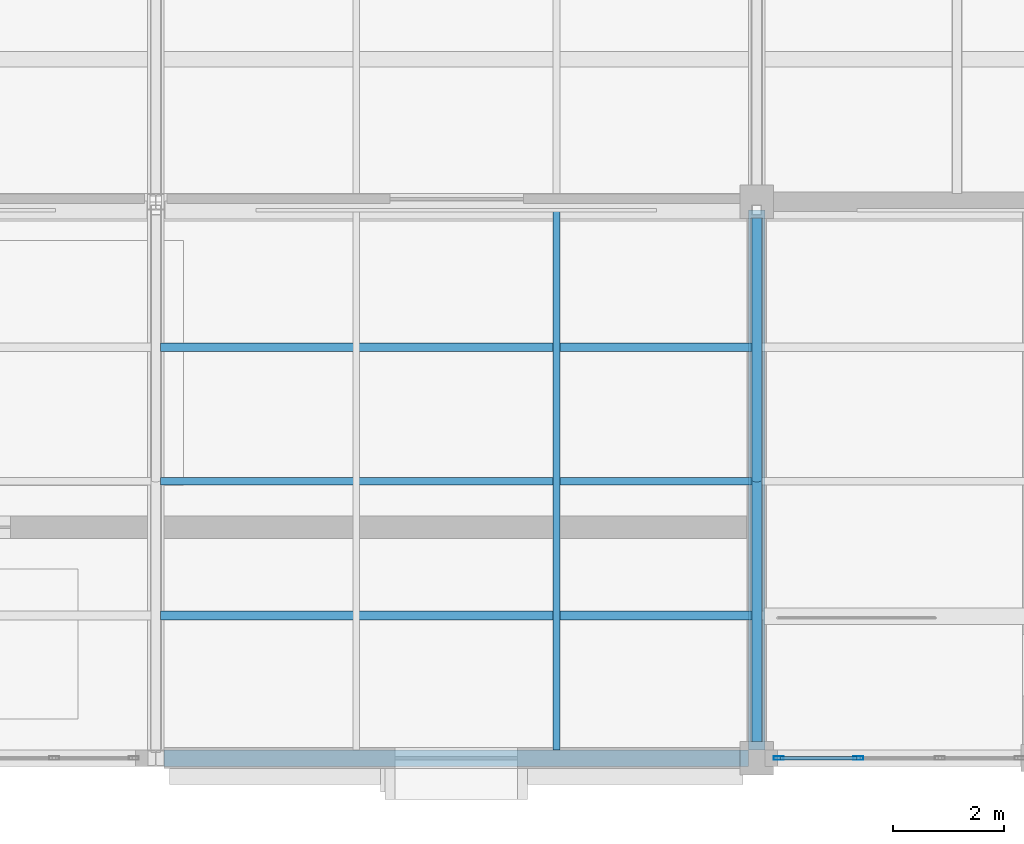
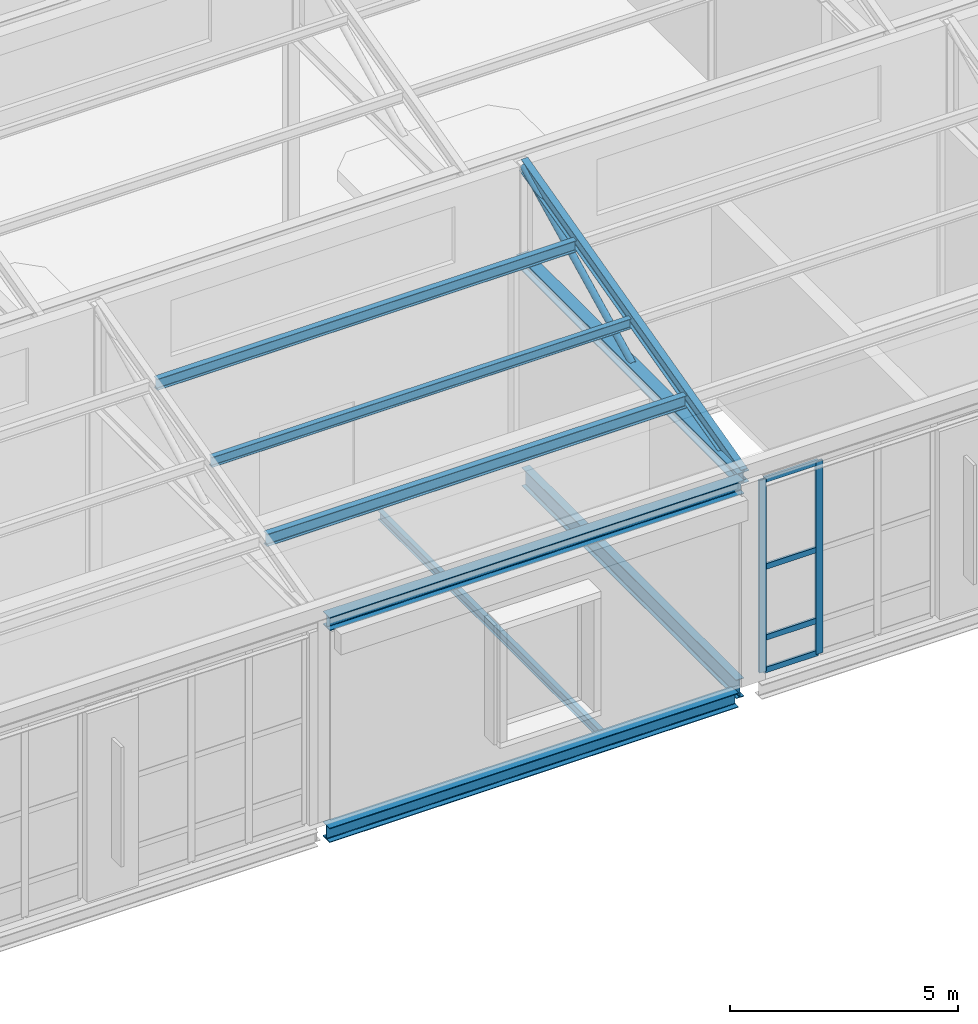
# One storey, part 17 of 49: 12 members, 4 beams, 1 element without a shape of its own.
"""IFC4 building model written with IfcOpenShell, lengths in metres."""

from ifc_helpers import new_model, si_unit, direction, frame, origin, origin_2d, place, context, subcontext, project, spatial, hollow_rectangle, hollow_circle, i_section, extrude, material, layer, layer_set, material_profile, profile_set, type_object, element, aggregate, save


model = new_model("IFC4")

# Units and contexts
model_context = context("Model", 3, precision=1e-05, world=origin(), true_north=direction((0.0, 1.0)))
body_context = subcontext(model_context, "Body", "Model", "MODEL_VIEW")
ifc_project = project(units=[si_unit("LENGTHUNIT", "METRE"), si_unit("AREAUNIT", "SQUARE_METRE"), si_unit("VOLUMEUNIT", "CUBIC_METRE"), si_unit("PLANEANGLEUNIT", "RADIAN"), si_unit("MASSUNIT", "GRAM", prefix="KILO")], contexts=[model_context])

# Site, building, storey
site_placement = place(None, origin())
site = spatial("IfcSite", under=ifc_project, at=site_placement, CompositionType="ELEMENT")
building_placement = place(site_placement, origin())
building = spatial("IfcBuilding", under=site, at=building_placement, Name="Tasgan Crest Museum", CompositionType="ELEMENT")
storey_placement = place(building_placement, frame((0.0, 0.0, 28.800048828125)))
storey = spatial("IfcBuildingStorey", under=building, at=storey_placement, Name="L05", CompositionType="ELEMENT", Elevation=28.800048828125)

# Beams
ifc_material_1 = material(Name="Steel S355J2", Category="steel")
ifc_material_profile_1 = material_profile(ifc_material_1, i_section(OverallWidth=0.300048828125, OverallDepth=0.35009765625, WebThickness=0.009521484375, FlangeThickness=0.017578125, FilletRadius=0.027099609375, at=origin_2d()), Name="HEA 360")
ifc_profile_set_1 = profile_set([ifc_material_profile_1], Name="Steel S355J2")
beam_type_1 = type_object("IfcBeamType", Name="BM-G-HEA360", PredefinedType="BEAM", material=ifc_profile_set_1)
beam_1_placement = place(storey_placement, frame((43.35009765625, 82.0, 5.219970703125), z_axis=(1.0, 0.0, 0.0), x_axis=(0.0, 1.0, 0.0)))
element("IfcBeam", 1, at=beam_1_placement, inside=storey, type_object=beam_type_1, Name="Sawtooth valley girder B1 43.2-54.0", PredefinedType="BEAM", context=body_context, shape_type="SweptSolid", body=[
    extrude(i_section(OverallWidth=0.300048828125, OverallDepth=0.35009765625, WebThickness=0.009521484375, FlangeThickness=0.017578125, FilletRadius=0.027099609375, at=origin_2d()), origin(), (0.0, 0.0, 1.0), 10.5),
])
ifc_material_2 = material(Name="Steel S355J2", Category="steel")
ifc_material_profile_2 = material_profile(ifc_material_2, i_section(OverallWidth=0.300048828125, OverallDepth=0.389892578125, WebThickness=0.010986328125, FlangeThickness=0.01904296875, FilletRadius=0.027099609375, at=origin_2d()), Name="HEA 400")
ifc_profile_set_2 = profile_set([ifc_material_profile_2], Name="Steel S355J2")
beam_type_2 = type_object("IfcBeamType", Name="BM-G-HEA400", PredefinedType="BEAM", material=ifc_profile_set_2)
beam_2_placement = place(storey_placement, frame((43.345947265625, 82.0, -0.43505859375), z_axis=(1.0, 0.0, 0.0), x_axis=(0.0, 1.0, 0.0)))
element("IfcBeam", 2, at=beam_2_placement, inside=storey, type_object=beam_type_2, Name="Girder L05 J 43.2-54.0", PredefinedType="BEAM", context=body_context, shape_type="SweptSolid", body=[
    extrude(i_section(OverallWidth=0.300048828125, OverallDepth=0.389892578125, WebThickness=0.010986328125, FlangeThickness=0.01904296875, FilletRadius=0.027099609375, at=origin_2d()), origin(), (0.0, 0.0, 1.0), 10.358154296875),
])
ifc_material_3 = material(Name="Steel S355J2", Category="steel")
ifc_material_profile_3 = material_profile(ifc_material_3, i_section(OverallWidth=0.199951171875, OverallDepth=0.5, WebThickness=0.01025390625, FlangeThickness=0.01611328125, FilletRadius=0.02099609375, at=origin_2d()), Name="IPE 500")
ifc_profile_set_3 = profile_set([ifc_material_profile_3], Name="Steel S355J2")
beam_type_3 = type_object("IfcBeamType", Name="BM-G-IPE500", PredefinedType="BEAM", material=ifc_profile_set_3)
beam_3_placement = place(storey_placement, frame((54.0, 82.294921875, -0.489990234375), z_axis=(0.0, 1.0, 0.0), x_axis=(-1.0, 0.0, 0.0)))
element("IfcBeam", 3, at=beam_3_placement, inside=storey, type_object=beam_type_3, Name="Beam L05 6 82.0-92.0", PredefinedType="BEAM", context=body_context, shape_type="SweptSolid", body=[
    extrude(i_section(OverallWidth=0.199951171875, OverallDepth=0.5, WebThickness=0.01025390625, FlangeThickness=0.01611328125, FilletRadius=0.02099609375, at=origin_2d()), origin(), (0.0, 0.0, 1.0), 9.41015625),
])
ifc_material_4 = material(Name="Steel S355J2", Category="steel")
ifc_material_profile_4 = material_profile(ifc_material_4, i_section(OverallWidth=0.1201171875, OverallDepth=0.239990234375, WebThickness=0.006103515625, FlangeThickness=0.009765625, FilletRadius=0.014892578125, at=origin_2d()), Name="IPE 240")
ifc_profile_set_4 = profile_set([ifc_material_profile_4], Name="Steel S355J2")
beam_type_4 = type_object("IfcBeamType", Name="BM-J-IPE240", PredefinedType="JOIST", material=ifc_profile_set_4)
beam_4_placement = place(storey_placement, frame((50.39990234375, 82.14501953125, -0.360107421875), z_axis=(0.0, 1.0, 0.0), x_axis=(-1.0, 0.0, 0.0)))
element("IfcBeam", 4, at=beam_4_placement, inside=storey, type_object=beam_type_4, Name="Secondary joist L05 X=50.4 Y=82.0-92.0", PredefinedType="JOIST", context=body_context, shape_type="SweptSolid", body=[
    extrude(i_section(OverallWidth=0.1201171875, OverallDepth=0.239990234375, WebThickness=0.006103515625, FlangeThickness=0.009765625, FilletRadius=0.014892578125, at=origin_2d()), origin(), (0.0, 0.0, 1.0), 9.7099609375),
])

# Curtain wall, members
ifc_material_5 = material(Name="Triple-Glazed Aluminium Curtain Wall", Category="aluminium")
ifc_layer = layer(ifc_material_5, 0.179931640625, Name="CW-DRUM-X-48")
ifc_layer_set = layer_set([ifc_layer], Name="Triple-Glazed Aluminium Curtain Wall")
curtain_wall_type = type_object("IfcCurtainWallType", Name="CW-DRUM-X-48", PredefinedType="NOTDEFINED", material=ifc_layer_set)
curtain_wall_placement = place(storey_placement, origin())
curtain_wall = element("IfcCurtainWall", 5, at=curtain_wall_placement, inside=storey, type_object=curtain_wall_type, Name="Curtain wall L05 217", PredefinedType="NOTDEFINED")
ifc_material_6 = material(Name="Anodised Aluminium", Category="aluminium")
ifc_material_profile_5 = material_profile(ifc_material_6, hollow_rectangle(XDim=0.06494140625, YDim=0.179931640625, WallThickness=0.0048828125, at=origin_2d()), Name="ALU MULLION 180x65x5")
ifc_profile_set_5 = profile_set([ifc_material_profile_5], Name="Anodised Aluminium")
member_type_1 = type_object("IfcMemberType", Name="CW-MULLION-180", PredefinedType="MULLION", material=ifc_profile_set_5)
member_1_placement = place(storey_placement, frame((54.39501953125, 82.0, 0.0), z_axis=(0.0, 0.0, 1.0), x_axis=(0.0, 1.0, 0.0)))
member_1 = element("IfcMember", 6, at=member_1_placement, type_object=member_type_1, Name="CW03 mullion 1", PredefinedType="MULLION", context=body_context, shape_type="SweptSolid", body=[
    extrude(hollow_rectangle(XDim=0.06494140625, YDim=0.179931640625, WallThickness=0.0048828125, at=origin_2d()), origin(), (0.0, 0.0, 1.0), 5.159912109375),
])
member_2_placement = place(storey_placement, frame((55.828369140625, 82.0, 0.0), z_axis=(0.0, 0.0, 1.0), x_axis=(0.0, 1.0, 0.0)))
member_2 = element("IfcMember", 7, at=member_2_placement, type_object=member_type_1, Name="CW03 mullion 2", PredefinedType="MULLION", context=body_context, shape_type="SweptSolid", body=[
    extrude(hollow_rectangle(XDim=0.06494140625, YDim=0.179931640625, WallThickness=0.0048828125, at=origin_2d()), origin(), (0.0, 0.0, 1.0), 5.159912109375),
])
ifc_material_7 = material(Name="Anodised Aluminium", Category="aluminium")
ifc_material_profile_6 = material_profile(ifc_material_7, hollow_rectangle(XDim=0.06005859375, YDim=0.14990234375, WallThickness=0.0048828125, at=origin_2d()), Name="ALU TRANSOM 150x60x5")
ifc_profile_set_6 = profile_set([ifc_material_profile_6], Name="Anodised Aluminium")
member_type_2 = type_object("IfcMemberType", Name="CW-TRANSOM-150", PredefinedType="USERDEFINED", material=ifc_profile_set_6)
member_3_placement = place(storey_placement, frame((54.425048828125, 82.0, 0.030029296875), z_axis=(1.0, 0.0, 0.0), x_axis=(0.0, 1.0, 0.0)))
member_3 = element("IfcMember", 8, at=member_3_placement, type_object=member_type_2, Name="CW03 transom 1.1", ObjectType="TRANSOM", PredefinedType="USERDEFINED", context=body_context, shape_type="SweptSolid", body=[
    extrude(hollow_rectangle(XDim=0.06005859375, YDim=0.14990234375, WallThickness=0.0048828125, at=origin_2d()), origin(), (0.0, 0.0, 1.0), 1.373291015625),
])
member_4_placement = place(storey_placement, frame((54.425048828125, 82.0, 0.89990234375), z_axis=(1.0, 0.0, 0.0), x_axis=(0.0, 1.0, 0.0)))
member_4 = element("IfcMember", 9, at=member_4_placement, type_object=member_type_2, Name="CW03 transom 1.2", ObjectType="TRANSOM", PredefinedType="USERDEFINED", context=body_context, shape_type="SweptSolid", body=[
    extrude(hollow_rectangle(XDim=0.06005859375, YDim=0.14990234375, WallThickness=0.0048828125, at=origin_2d()), origin(), (0.0, 0.0, 1.0), 1.373291015625),
])
member_5_placement = place(storey_placement, frame((54.425048828125, 82.0, 2.800048828125), z_axis=(1.0, 0.0, 0.0), x_axis=(0.0, 1.0, 0.0)))
member_5 = element("IfcMember", 10, at=member_5_placement, type_object=member_type_2, Name="CW03 transom 1.3", ObjectType="TRANSOM", PredefinedType="USERDEFINED", context=body_context, shape_type="SweptSolid", body=[
    extrude(hollow_rectangle(XDim=0.06005859375, YDim=0.14990234375, WallThickness=0.0048828125, at=origin_2d()), origin(), (0.0, 0.0, 1.0), 1.373291015625),
])
member_6_placement = place(storey_placement, frame((54.425048828125, 82.0, 5.1298828125), z_axis=(1.0, 0.0, 0.0), x_axis=(0.0, 1.0, 0.0)))
member_6 = element("IfcMember", 11, at=member_6_placement, type_object=member_type_2, Name="CW03 transom 1.4", ObjectType="TRANSOM", PredefinedType="USERDEFINED", context=body_context, shape_type="SweptSolid", body=[
    extrude(hollow_rectangle(XDim=0.06005859375, YDim=0.14990234375, WallThickness=0.0048828125, at=origin_2d()), origin(), (0.0, 0.0, 1.0), 1.373291015625),
])
aggregate(curtain_wall, [member_1, member_2, member_3, member_4, member_5, member_6])

# Members
ifc_material_8 = material(Name="Steel S355J2", Category="steel")
ifc_material_profile_7 = material_profile(ifc_material_8, i_section(OverallWidth=0.14990234375, OverallDepth=0.300048828125, WebThickness=0.007080078125, FlangeThickness=0.0107421875, FilletRadius=0.014892578125, at=origin_2d()), Name="IPE 300")
ifc_profile_set_7 = profile_set([ifc_material_profile_7], Name="Steel S355J2")
member_type_3 = type_object("IfcMemberType", Name="MEM-PUR-IPE300", PredefinedType="PURLIN", material=ifc_profile_set_7)
member_7_placement = place(storey_placement, frame((43.284912109375, 89.387451171875, 7.1298828125), z_axis=(1.0, 0.0, 0.0), x_axis=(0.0, 1.0, 0.0)))
element("IfcMember", 12, at=member_7_placement, inside=storey, type_object=member_type_3, Name="Sawtooth roof purlin B1 43.2-54.0 P3", PredefinedType="PURLIN", context=body_context, shape_type="SweptSolid", body=[
    extrude(i_section(OverallWidth=0.14990234375, OverallDepth=0.300048828125, WebThickness=0.007080078125, FlangeThickness=0.0107421875, FilletRadius=0.014892578125, at=origin_2d()), origin(), (0.0, 0.0, 1.0), 10.630126953125),
])
ifc_material_9 = material(Name="Steel S355J2", Category="steel")
ifc_material_profile_8 = material_profile(ifc_material_9, i_section(OverallWidth=0.159912109375, OverallDepth=0.330078125, WebThickness=0.007568359375, FlangeThickness=0.011474609375, FilletRadius=0.01806640625, at=origin_2d()), Name="IPE 330")
ifc_profile_set_8 = profile_set([ifc_material_profile_8], Name="Steel S355J2")
member_type_4 = type_object("IfcMemberType", Name="MEM-PUR-IPE330", PredefinedType="PURLIN", material=ifc_profile_set_8)
member_8_placement = place(storey_placement, frame((43.284912109375, 84.5625, 5.889892578125), z_axis=(1.0, 0.0, 0.0), x_axis=(0.0, 1.0, 0.0)))
element("IfcMember", 13, at=member_8_placement, inside=storey, type_object=member_type_4, Name="Sawtooth roof purlin B1 43.2-54.0 P1", PredefinedType="PURLIN", context=body_context, shape_type="SweptSolid", body=[
    extrude(i_section(OverallWidth=0.159912109375, OverallDepth=0.330078125, WebThickness=0.007568359375, FlangeThickness=0.011474609375, FilletRadius=0.01806640625, at=origin_2d()), origin(), (0.0, 0.0, 1.0), 10.630126953125),
])
ifc_material_10 = material(Name="Steel S355J2", Category="steel")
ifc_material_profile_9 = material_profile(ifc_material_10, i_section(OverallWidth=0.135009765625, OverallDepth=0.27001953125, WebThickness=0.006591796875, FlangeThickness=0.01025390625, FilletRadius=0.014892578125, at=origin_2d()), Name="IPE 270")
ifc_profile_set_9 = profile_set([ifc_material_profile_9], Name="Steel S355J2")
member_type_5 = type_object("IfcMemberType", Name="MEM-PURLIN-270", PredefinedType="PURLIN", material=ifc_profile_set_9)
member_9_placement = place(storey_placement, frame((43.284912109375, 86.97509765625, 6.510009765625), z_axis=(1.0, 0.0, 0.0), x_axis=(0.0, 1.0, 0.0)))
element("IfcMember", 14, at=member_9_placement, inside=storey, type_object=member_type_5, Name="Sawtooth roof purlin B1 43.2-54.0 P2", PredefinedType="PURLIN", context=body_context, shape_type="SweptSolid", body=[
    extrude(i_section(OverallWidth=0.135009765625, OverallDepth=0.27001953125, WebThickness=0.006591796875, FlangeThickness=0.01025390625, FilletRadius=0.014892578125, at=origin_2d()), origin(), (0.0, 0.0, 1.0), 10.630126953125),
])
ifc_material_11 = material(Name="Steel S355K2", Category="steel")
ifc_material_profile_10 = material_profile(ifc_material_11, i_section(OverallWidth=0.300048828125, OverallDepth=0.31005859375, WebThickness=0.009033203125, FlangeThickness=0.015380859375, FilletRadius=0.027099609375, at=origin_2d()), Name="HEA 320")
ifc_profile_set_10 = profile_set([ifc_material_profile_10], Name="Steel S355K2")
member_type_6 = type_object("IfcMemberType", Name="TR-SAW-CHORD", PredefinedType="CHORD", material=ifc_profile_set_10)
member_10_placement = place(storey_placement, frame((54.0, 82.14990234375, 5.239990234375), z_axis=(0.0, 1.0, 0.0), x_axis=(-1.0, 0.0, 0.0)))
element("IfcMember", 15, at=member_10_placement, inside=storey, type_object=member_type_6, Name="Roof truss bottom chord B1 6", PredefinedType="CHORD", context=body_context, shape_type="SweptSolid", body=[
    extrude(i_section(OverallWidth=0.300048828125, OverallDepth=0.31005859375, WebThickness=0.009033203125, FlangeThickness=0.015380859375, FilletRadius=0.027099609375, at=origin_2d()), origin(), (0.0, 0.0, 1.0), 9.7001953125),
])
ifc_material_12 = material(Name="Steel S355K2", Category="steel")
ifc_material_profile_11 = material_profile(ifc_material_12, hollow_circle(Radius=0.084228515625, WallThickness=0.008056640625, at=origin_2d()), Name="CHS 168.3x8")
ifc_profile_set_11 = profile_set([ifc_material_profile_11], Name="Steel S355K2")
member_type_7 = type_object("IfcMemberType", Name="TR-SAW-DIAG", PredefinedType="BRACE", material=ifc_profile_set_11)
member_11_placement = place(storey_placement, frame((54.0, 87.0, 5.349853515625), z_axis=(0.0, 0.894418092416, 0.447231792205), x_axis=(-1.0, 0.0, 0.0)))
element("IfcMember", 16, at=member_11_placement, inside=storey, type_object=member_type_7, Name="Roof truss diagonal B1 6", PredefinedType="BRACE", context=body_context, shape_type="SweptSolid", body=[
    extrude(hollow_circle(Radius=0.084228515625, WallThickness=0.008056640625, at=origin_2d()), origin(), (0.0, 0.0, 1.0), 5.36669921875),
])
ifc_material_13 = material(Name="Steel S355K2", Category="steel")
ifc_material_profile_12 = material_profile(ifc_material_13, i_section(OverallWidth=0.169921875, OverallDepth=0.360107421875, WebThickness=0.008056640625, FlangeThickness=0.0126953125, FilletRadius=0.01806640625, at=origin_2d()), Name="IPE 360")
ifc_profile_set_12 = profile_set([ifc_material_profile_12], Name="Steel S355K2")
member_type_8 = type_object("IfcMemberType", Name="TR-SAW-RAFTER", PredefinedType="RAFTER", material=ifc_profile_set_12)
member_12_placement = place(storey_placement, frame((54.0, 82.14990234375, 5.320068359375), z_axis=(0.0, 0.968528888954, 0.248901167657), x_axis=(-1.0, 0.0, 0.0)))
element("IfcMember", 17, at=member_12_placement, inside=storey, type_object=member_type_8, Name="Roof truss rafter B1 6", PredefinedType="RAFTER", context=body_context, shape_type="SweptSolid", body=[
    extrude(i_section(OverallWidth=0.169921875, OverallDepth=0.360107421875, WebThickness=0.008056640625, FlangeThickness=0.0126953125, FilletRadius=0.01806640625, at=origin_2d()), origin(), (0.0, 0.0, 1.0), 9.963623046875),
])

save(model, "model.ifc")
